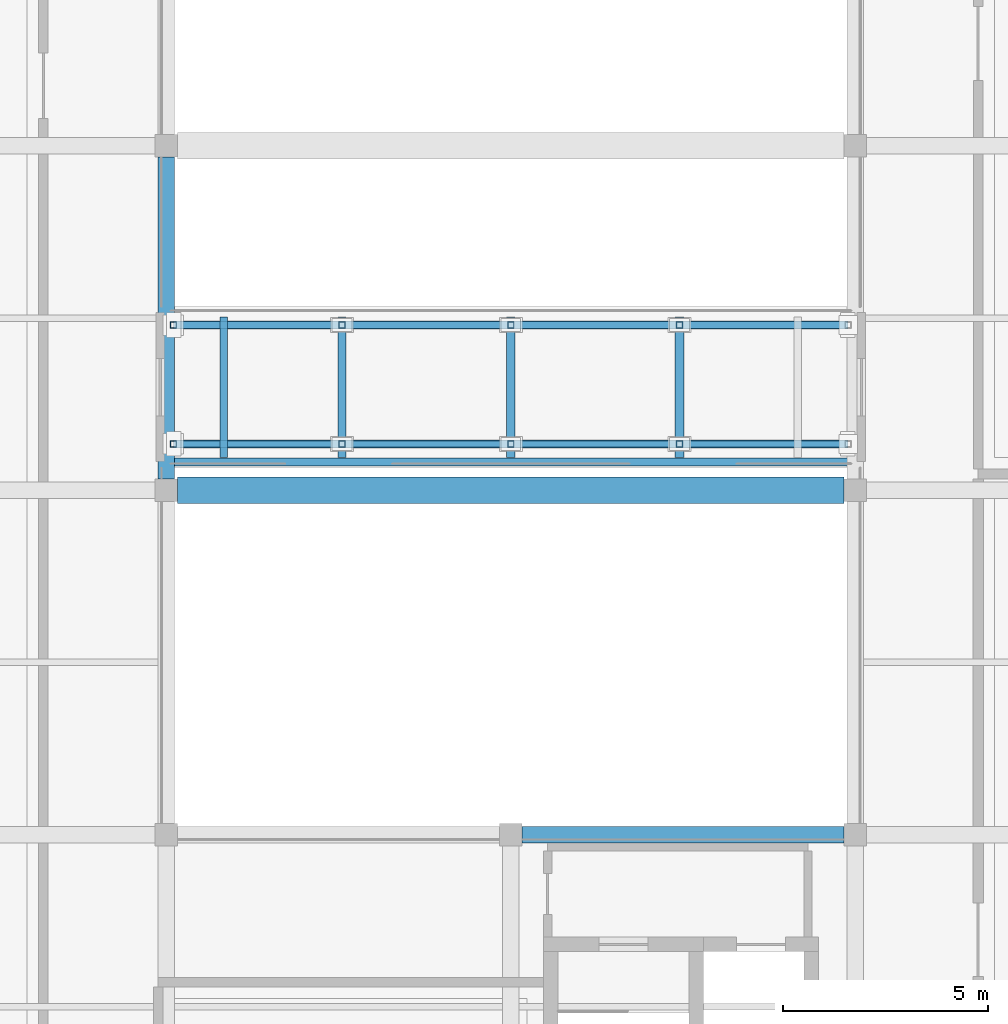
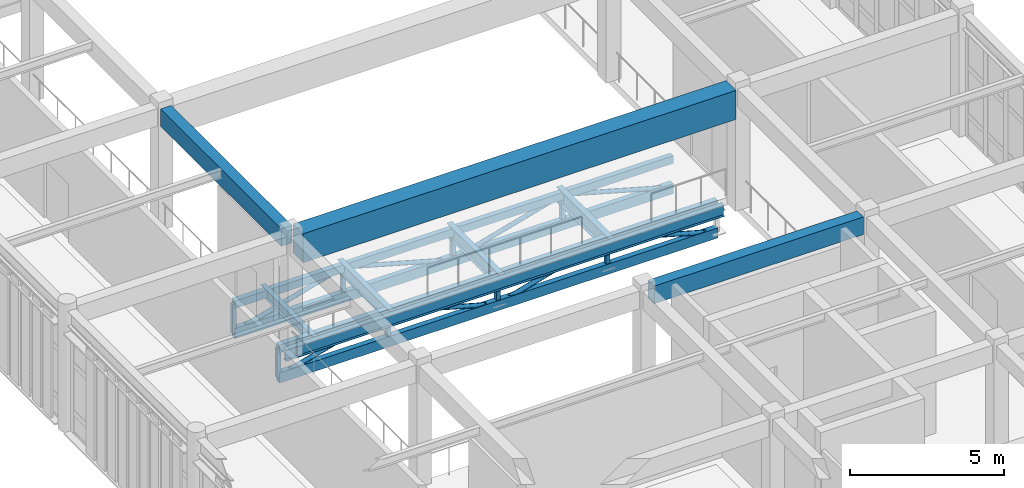
# One storey, part 16 of 77: 20 members, 8 beams.
"""IFC4 building model written with IfcOpenShell, lengths in metres."""

from ifc_helpers import new_model, si_unit, direction, frame, origin, origin_2d, place, context, subcontext, project, spatial, rectangle, hollow_rectangle, hollow_circle, i_section, extrude, material, material_profile, profile_set, type_object, element, save


model = new_model("IFC4")

# Units and contexts
model_context = context("Model", 3, precision=1e-05, world=origin(), true_north=direction((0.0, 1.0)))
body_context = subcontext(model_context, "Body", "Model", "MODEL_VIEW")
ifc_project = project(units=[si_unit("LENGTHUNIT", "METRE"), si_unit("AREAUNIT", "SQUARE_METRE"), si_unit("VOLUMEUNIT", "CUBIC_METRE"), si_unit("PLANEANGLEUNIT", "RADIAN"), si_unit("MASSUNIT", "GRAM", prefix="KILO")], contexts=[model_context])

# Site, building, storey
site_placement = place(None, origin())
site = spatial("IfcSite", under=ifc_project, at=site_placement, CompositionType="ELEMENT")
building_placement = place(site_placement, origin())
building = spatial("IfcBuilding", under=site, at=building_placement, Name="Krzemoval Escarpment Law Courts", CompositionType="ELEMENT")
storey_placement = place(building_placement, frame((0.0, 0.0, 15.300048828125)))
storey = spatial("IfcBuildingStorey", under=building, at=storey_placement, Name="L03", CompositionType="ELEMENT", Elevation=15.300048828125)

# Beams
ifc_material_1 = material(Name="Concrete C50/60", Category="concrete")
ifc_material_profile_1 = material_profile(ifc_material_1, rectangle(XDim=0.64990234375, YDim=1.14990234375, at=origin_2d()), Name="PTG 650x1150")
ifc_profile_set_1 = profile_set([ifc_material_profile_1], Name="Concrete C50/60")
beam_type_1 = type_object("IfcBeamType", Name="BM-PTG-650x1150", PredefinedType="BEAM", material=ifc_profile_set_1)
beam_1_placement = place(storey_placement, frame((17.074951171875, 57.60009765625, 4.264892578125), z_axis=(1.0, 0.0, 0.0), x_axis=(0.0, 1.0, 0.0)))
element("IfcBeam", 1, at=beam_1_placement, inside=storey, type_object=beam_type_1, Name="Beam FG-L03-2158", PredefinedType="BEAM", context=body_context, shape_type="SweptSolid", body=[
    extrude(rectangle(XDim=0.64990234375, YDim=1.14990234375, at=origin_2d()), origin(), (0.0, 0.0, 1.0), 16.25),
])
ifc_material_2 = material(Name="Concrete C40/50", Category="concrete")
ifc_material_profile_2 = material_profile(ifc_material_2, rectangle(XDim=0.39990234375, YDim=0.699951171875, at=origin_2d()), Name="RCB 400x700")
ifc_profile_set_2 = profile_set([ifc_material_profile_2], Name="Concrete C40/50")
beam_type_2 = type_object("IfcBeamType", Name="BM-RC-400x700", PredefinedType="BEAM", material=ifc_profile_set_2)
beam_2_placement = place(storey_placement, frame((25.47509765625, 49.199951171875, 4.489990234375), z_axis=(1.0, 0.0, 0.0), x_axis=(0.0, 1.0, 0.0)))
element("IfcBeam", 2, at=beam_2_placement, inside=storey, type_object=beam_type_2, Name="Beam FG-L03-2155", PredefinedType="BEAM", context=body_context, shape_type="SweptSolid", body=[
    extrude(rectangle(XDim=0.39990234375, YDim=0.699951171875, at=origin_2d()), origin(), (0.0, 0.0, 1.0), 7.849853515625),
])
beam_3_placement = place(storey_placement, frame((16.800048828125, 57.875, 4.489990234375), z_axis=(0.0, 1.0, 0.0), x_axis=(-1.0, 0.0, 0.0)))
element("IfcBeam", 3, at=beam_3_placement, inside=storey, type_object=beam_type_2, Name="Beam FG-L03-2234", PredefinedType="BEAM", context=body_context, shape_type="SweptSolid", body=[
    extrude(rectangle(XDim=0.39990234375, YDim=0.699951171875, at=origin_2d()), origin(), (0.0, 0.0, 1.0), 7.85009765625),
])
ifc_material_3 = material(Name="Steel S355", Category="steel")
ifc_material_profile_3 = material_profile(ifc_material_3, i_section(OverallWidth=0.179931640625, OverallDepth=0.39990234375, WebThickness=0.008544921875, FlangeThickness=0.013427734375, at=origin_2d()), Name="IPE 400")
ifc_profile_set_3 = profile_set([ifc_material_profile_3], Name="Steel S355")
beam_type_3 = type_object("IfcBeamType", Name="BM-S355-IPE400", PredefinedType="BEAM", material=ifc_profile_set_3)
beam_4_placement = place(storey_placement, frame((18.199951171875, 58.39990234375, -0.5), z_axis=(0.0, 1.0, 0.0), x_axis=(-1.0, 0.0, 0.0)))
element("IfcBeam", 4, at=beam_4_placement, inside=storey, type_object=beam_type_3, Name="Bridge Cross Beam BBM-2841", PredefinedType="BEAM", context=body_context, shape_type="SweptSolid", body=[
    extrude(i_section(OverallWidth=0.179931640625, OverallDepth=0.39990234375, WebThickness=0.008544921875, FlangeThickness=0.013427734375, at=origin_2d()), origin(), (0.0, 0.0, 1.0), 3.43017578125),
])
ifc_material_4 = material(Name="Steel S355", Category="steel")
ifc_material_profile_4 = material_profile(ifc_material_4, i_section(OverallWidth=0.18994140625, OverallDepth=0.449951171875, WebThickness=0.009521484375, FlangeThickness=0.0146484375, at=origin_2d()), Name="IPE 450")
ifc_profile_set_4 = profile_set([ifc_material_profile_4], Name="Steel S355")
beam_type_4 = type_object("IfcBeamType", Name="BM-S355-IPE450", PredefinedType="BEAM", material=ifc_profile_set_4)
beam_5_placement = place(storey_placement, frame((16.969970703125, 58.2900390625, -0.525146484375), z_axis=(1.0, 0.0, 0.0), x_axis=(0.0, 1.0, 0.0)))
element("IfcBeam", 5, at=beam_5_placement, inside=storey, type_object=beam_type_4, Name="Sky-Bridge Stair Header Beam BSB-BRG-L03-1", PredefinedType="BEAM", context=body_context, shape_type="SweptSolid", body=[
    extrude(i_section(OverallWidth=0.18994140625, OverallDepth=0.449951171875, WebThickness=0.009521484375, FlangeThickness=0.0146484375, at=origin_2d()), origin(), (0.0, 0.0, 1.0), 16.4599609375),
])
ifc_material_5 = material(Name="Steel S355", Category="steel")
ifc_material_profile_5 = material_profile(ifc_material_5, i_section(OverallWidth=0.199951171875, OverallDepth=0.5, WebThickness=0.01025390625, FlangeThickness=0.01611328125, at=origin_2d()), Name="IPE 500")
ifc_profile_set_5 = profile_set([ifc_material_profile_5], Name="Steel S355")
beam_type_5 = type_object("IfcBeamType", Name="BM-S355-IPE500", PredefinedType="BEAM", material=ifc_profile_set_5)
beam_6_placement = place(storey_placement, frame((21.0849609375, 58.39990234375, -0.550048828125), z_axis=(0.0, 1.0, 0.0), x_axis=(-1.0, 0.0, 0.0)))
element("IfcBeam", 6, at=beam_6_placement, inside=storey, type_object=beam_type_5, Name="Bridge Cross Beam BBM-2842", PredefinedType="BEAM", context=body_context, shape_type="SweptSolid", body=[
    extrude(i_section(OverallWidth=0.199951171875, OverallDepth=0.5, WebThickness=0.01025390625, FlangeThickness=0.01611328125, at=origin_2d()), origin(), (0.0, 0.0, 1.0), 3.43017578125),
])
ifc_material_6 = material(Name="Steel S355", Category="steel")
ifc_material_profile_6 = material_profile(ifc_material_6, i_section(OverallWidth=0.2099609375, OverallDepth=0.550048828125, WebThickness=0.010986328125, FlangeThickness=0.01708984375, at=origin_2d()), Name="IPE 550")
ifc_profile_set_6 = profile_set([ifc_material_profile_6], Name="Steel S355")
beam_type_6 = type_object("IfcBeamType", Name="BM-S355-IPE550", PredefinedType="BEAM", material=ifc_profile_set_6)
beam_7_placement = place(storey_placement, frame((25.199951171875, 58.39990234375, -0.574951171875), z_axis=(0.0, 1.0, 0.0), x_axis=(-1.0, 0.0, 0.0)))
element("IfcBeam", 7, at=beam_7_placement, inside=storey, type_object=beam_type_6, Name="Bridge Cross Beam BBM-2843", PredefinedType="BEAM", context=body_context, shape_type="SweptSolid", body=[
    extrude(i_section(OverallWidth=0.2099609375, OverallDepth=0.550048828125, WebThickness=0.010986328125, FlangeThickness=0.01708984375, at=origin_2d()), origin(), (0.0, 0.0, 1.0), 3.43017578125),
])
ifc_material_7 = material(Name="Steel S355", Category="steel")
ifc_material_profile_7 = material_profile(ifc_material_7, i_section(OverallWidth=0.219970703125, OverallDepth=0.60009765625, WebThickness=0.011962890625, FlangeThickness=0.01904296875, at=origin_2d()), Name="IPE 600")
ifc_profile_set_7 = profile_set([ifc_material_profile_7], Name="Steel S355")
beam_type_7 = type_object("IfcBeamType", Name="BM-S355-IPE600", PredefinedType="BEAM", material=ifc_profile_set_7)
beam_8_placement = place(storey_placement, frame((29.31494140625, 58.39990234375, -0.60009765625), z_axis=(0.0, 1.0, 0.0), x_axis=(-1.0, 0.0, 0.0)))
element("IfcBeam", 8, at=beam_8_placement, inside=storey, type_object=beam_type_7, Name="Bridge Cross Beam BBM-2844", PredefinedType="BEAM", context=body_context, shape_type="SweptSolid", body=[
    extrude(i_section(OverallWidth=0.219970703125, OverallDepth=0.60009765625, WebThickness=0.011962890625, FlangeThickness=0.01904296875, at=origin_2d()), origin(), (0.0, 0.0, 1.0), 3.43017578125),
])

# Members
ifc_material_8 = material(Name="Steel S355", Category="steel")
ifc_material_profile_8 = material_profile(ifc_material_8, hollow_circle(Radius=0.084228515625, WallThickness=0.008056640625, at=origin_2d()), Name="CHS 168.3x8")
ifc_profile_set_8 = profile_set([ifc_material_profile_8], Name="Steel S355")
member_type_1 = type_object("IfcMemberType", Name="MBR-BRC-CHS168", PredefinedType="BRACE", material=ifc_profile_set_8)
for number, where, z_axis, x_axis, name in (
    (9, (16.969970703125, 58.72998046875, -1.670166015625), (0.963088538909, 0.0, 0.269184817965), (0.0, 1.0, 0.0), "Bridge Truss Diagonal BBR-0141"),
    (10, (21.0849609375, 58.72998046875, -0.52001953125), (0.963088538909, 0.0, -0.269184817965), (0.0, 1.0, 0.0), "Bridge Truss Diagonal BBR-0142"),
    (11, (25.199951171875, 58.72998046875, -1.670166015625), (0.963088538909, 0.0, 0.269184817965), (0.0, 1.0, 0.0), "Bridge Truss Diagonal BBR-0143"),
    (12, (29.31494140625, 58.72998046875, -0.52001953125), (0.963088538909, 0.0, -0.269184817965), (0.0, 1.0, 0.0), "Bridge Truss Diagonal BBR-0144"),
    (13, (16.969970703125, 61.6298828125, -1.670166015625), (0.963088538909, 0.0, 0.269184817965), (0.0, 1.0, 0.0), "Bridge Truss Diagonal BBR-0152"),
    (14, (21.0849609375, 61.6298828125, -0.52001953125), (0.963088538909, 0.0, -0.269184817965), (0.0, 1.0, 0.0), "Bridge Truss Diagonal BBR-0153"),
    (15, (25.199951171875, 61.6298828125, -1.670166015625), (0.963088538909, 0.0, 0.269184817965), (0.0, 1.0, 0.0), "Bridge Truss Diagonal BBR-0154"),
    (16, (29.31494140625, 61.6298828125, -0.52001953125), (0.963088538909, 0.0, -0.269184817965), (0.0, 1.0, 0.0), "Bridge Truss Diagonal BBR-0155"),
):
    element("IfcMember", number, at=place(storey_placement, frame(where, z_axis=z_axis, x_axis=x_axis)), inside=storey, type_object=member_type_1, Name=name, PredefinedType="BRACE", context=body_context, shape_type="SweptSolid", body=[
        extrude(hollow_circle(Radius=0.084228515625, WallThickness=0.008056640625, at=origin_2d()), origin(), (0.0, 0.0, 1.0), 4.272705078125),
    ])
ifc_material_9 = material(Name="Steel S355", Category="steel")
ifc_material_profile_9 = material_profile(ifc_material_9, hollow_rectangle(XDim=0.199951171875, YDim=0.300048828125, WallThickness=0.012451171875, at=origin_2d()), Name="RHS 300x200x12.5")
ifc_profile_set_9 = profile_set([ifc_material_profile_9], Name="Steel S355")
member_type_2 = type_object("IfcMemberType", Name="MBR-CHD-RHS300", PredefinedType="CHORD", material=ifc_profile_set_9)
for number, where, z_axis, x_axis, name in (
    (17, (16.969970703125, 58.72998046875, -0.52001953125), (1.0, 0.0, 0.0), (0.0, 1.0, 0.0), "Bridge Truss Chord BTC-0140"),
    (18, (16.969970703125, 61.6298828125, -0.52001953125), (1.0, 0.0, 0.0), (0.0, 1.0, 0.0), "Bridge Truss Chord BTC-0151"),
):
    element("IfcMember", number, at=place(storey_placement, frame(where, z_axis=z_axis, x_axis=x_axis)), inside=storey, type_object=member_type_2, Name=name, PredefinedType="CHORD", context=body_context, shape_type="SweptSolid", body=[
        extrude(hollow_rectangle(XDim=0.199951171875, YDim=0.300048828125, WallThickness=0.012451171875, at=origin_2d()), origin(), (0.0, 0.0, 1.0), 16.4599609375),
    ])
ifc_material_10 = material(Name="Steel S355", Category="steel")
ifc_material_profile_10 = material_profile(ifc_material_10, hollow_rectangle(XDim=0.199951171875, YDim=0.39990234375, WallThickness=0.012451171875, at=origin_2d()), Name="RHS 400x200x12.5")
ifc_profile_set_10 = profile_set([ifc_material_profile_10], Name="Steel S355")
member_type_3 = type_object("IfcMemberType", Name="MBR-CHD-RHS400", PredefinedType="CHORD", material=ifc_profile_set_10)
for number, where, z_axis, x_axis, name in (
    (19, (16.969970703125, 58.72998046875, -1.670166015625), (1.0, 0.0, 0.0), (0.0, 1.0, 0.0), "Bridge Truss Chord BTC-0139"),
    (20, (16.969970703125, 61.6298828125, -1.670166015625), (1.0, 0.0, 0.0), (0.0, 1.0, 0.0), "Bridge Truss Chord BTC-0150"),
):
    element("IfcMember", number, at=place(storey_placement, frame(where, z_axis=z_axis, x_axis=x_axis)), inside=storey, type_object=member_type_3, Name=name, PredefinedType="CHORD", context=body_context, shape_type="SweptSolid", body=[
        extrude(hollow_rectangle(XDim=0.199951171875, YDim=0.39990234375, WallThickness=0.012451171875, at=origin_2d()), origin(), (0.0, 0.0, 1.0), 16.4599609375),
    ])
ifc_material_11 = material(Name="Steel S355", Category="steel")
ifc_material_profile_11 = material_profile(ifc_material_11, hollow_rectangle(XDim=0.14990234375, YDim=0.14990234375, WallThickness=0.008056640625, at=origin_2d()), Name="SHS 150x150x8")
ifc_profile_set_11 = profile_set([ifc_material_profile_11], Name="Steel S355")
member_type_4 = type_object("IfcMemberType", Name="MBR-STR-SHS150", PredefinedType="STRUT", material=ifc_profile_set_11)
for number, where, z_axis, x_axis, name in (
    (21, (16.969970703125, 58.72998046875, -1.670166015625), (0.0, 0.0, 1.0), (1.0, 0.0, 0.0), "Bridge Truss Strut BST-0145"),
    (22, (21.0849609375, 58.72998046875, -1.670166015625), (0.0, 0.0, 1.0), (1.0, 0.0, 0.0), "Bridge Truss Strut BST-0146"),
    (23, (25.199951171875, 58.72998046875, -1.670166015625), (0.0, 0.0, 1.0), (1.0, 0.0, 0.0), "Bridge Truss Strut BST-0147"),
    (24, (29.31494140625, 58.72998046875, -1.670166015625), (0.0, 0.0, 1.0), (1.0, 0.0, 0.0), "Bridge Truss Strut BST-0148"),
    (25, (16.969970703125, 61.6298828125, -1.670166015625), (0.0, 0.0, 1.0), (1.0, 0.0, 0.0), "Bridge Truss Strut BST-0156"),
    (26, (21.0849609375, 61.6298828125, -1.670166015625), (0.0, 0.0, 1.0), (1.0, 0.0, 0.0), "Bridge Truss Strut BST-0157"),
    (27, (25.199951171875, 61.6298828125, -1.670166015625), (0.0, 0.0, 1.0), (1.0, 0.0, 0.0), "Bridge Truss Strut BST-0158"),
    (28, (29.31494140625, 61.6298828125, -1.670166015625), (0.0, 0.0, 1.0), (1.0, 0.0, 0.0), "Bridge Truss Strut BST-0159"),
):
    element("IfcMember", number, at=place(storey_placement, frame(where, z_axis=z_axis, x_axis=x_axis)), inside=storey, type_object=member_type_4, Name=name, PredefinedType="STRUT", context=body_context, shape_type="SweptSolid", body=[
        extrude(hollow_rectangle(XDim=0.14990234375, YDim=0.14990234375, WallThickness=0.008056640625, at=origin_2d()), origin(), (0.0, 0.0, 1.0), 1.150146484375),
    ])

save(model, "model.ifc")
